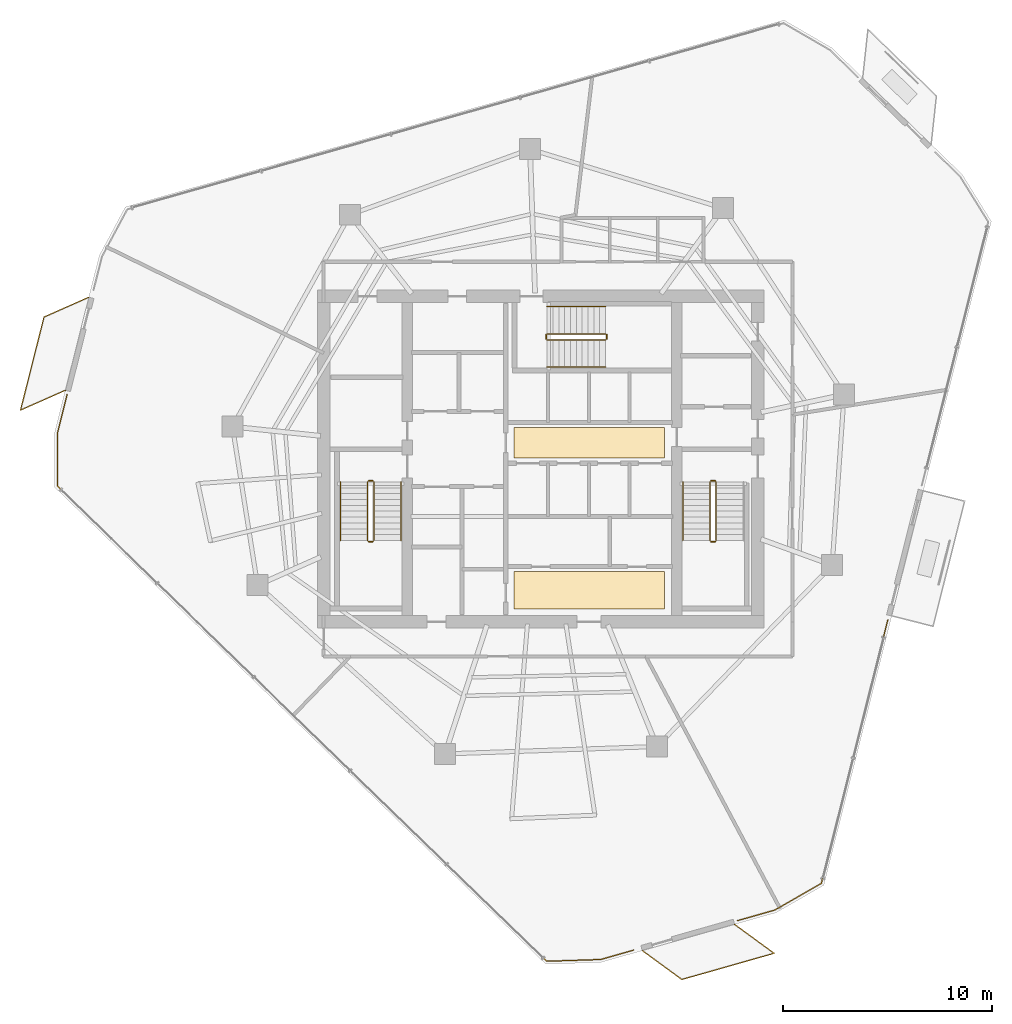
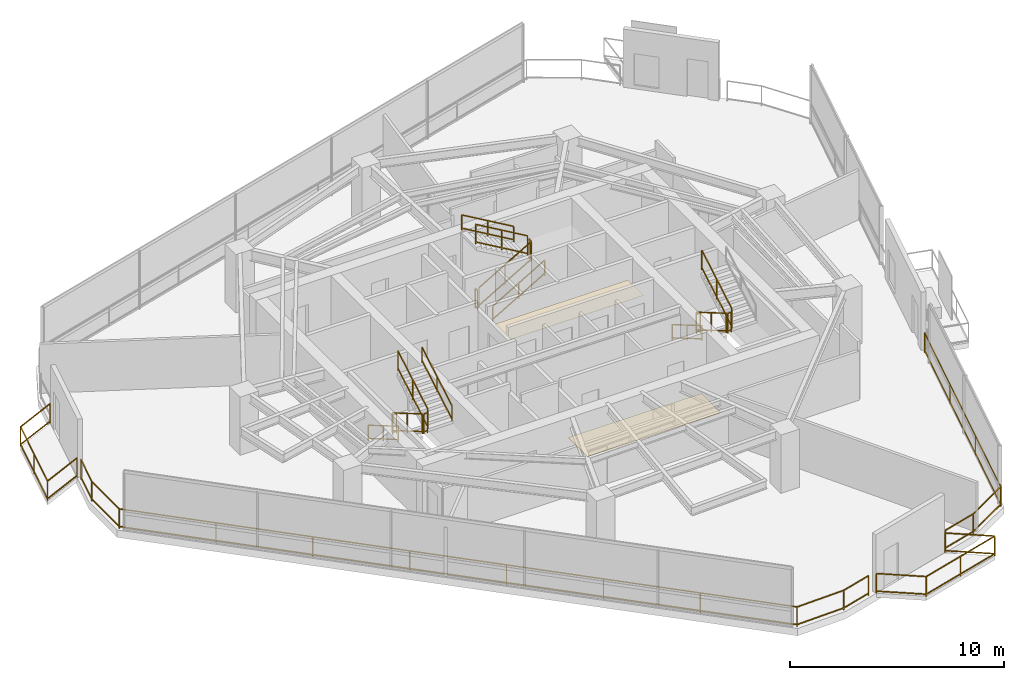
# One storey, part 18 of 19: 21 railings, 2 coverings.
"""IFC4 building model written with IfcOpenShell, lengths in metres."""

from ifc_helpers import new_model, si_unit, direction, frame, origin, origin_2d, place, context, subcontext, project, spatial, rectangle, extrude, material, layer, layer_set, type_object, element, save


model = new_model("IFC4")

# Units and contexts
model_context = context("Model", 3, precision=1e-05, world=origin(), true_north=direction((0.0, 1.0)))
body_context = subcontext(model_context, "Body", "Model", "MODEL_VIEW")
ifc_project = project(units=[si_unit("LENGTHUNIT", "METRE"), si_unit("AREAUNIT", "SQUARE_METRE"), si_unit("VOLUMEUNIT", "CUBIC_METRE"), si_unit("PLANEANGLEUNIT", "RADIAN"), si_unit("MASSUNIT", "GRAM", prefix="KILO")], contexts=[model_context])

# Site, building, storey
site_placement = place(None, origin())
site = spatial("IfcSite", under=ifc_project, at=site_placement, CompositionType="ELEMENT")
building_placement = place(site_placement, origin())
building = spatial("IfcBuilding", under=site, at=building_placement, Name="Qarnah Convention Tower", CompositionType="ELEMENT")
storey_placement = place(building_placement, frame((0.0, 0.0, 125.699951171875)))
storey = spatial("IfcBuildingStorey", under=building, at=storey_placement, Name="L33", CompositionType="ELEMENT", Elevation=125.699951171875)

# Coverings
ifc_material_1 = material(Name="Mineral fibre acoustic ceiling")
ifc_layer_1 = layer(ifc_material_1, 0.02001953125)
ifc_layer_set_1 = layer_set([ifc_layer_1], Name="Mineral fibre acoustic ceiling")
covering_type_1 = type_object("IfcCoveringType", Name="COV-CEIL-20", PredefinedType="CEILING", material=ifc_layer_set_1)
covering_1_placement = place(storey_placement, frame((39.52001953125, 27.179931640625, 2.2900390625), z_axis=(0.0, 0.0, 1.0), x_axis=(1.0, 0.0, 0.0)))
element("IfcCovering", 1, at=covering_1_placement, inside=storey, type_object=covering_type_1, Name="L33 lift lobby acoustic ceiling", PredefinedType="CEILING", context=body_context, shape_type="SweptSolid", body=[
    extrude(rectangle(XDim=7.199951171875, YDim=1.449951171875, at=origin_2d()), origin(), (0.0, 0.0, 1.0), 0.02001953125),
])
ifc_material_2 = material(Name="Porcelain stone floor tile", Category="masonry")
ifc_layer_2 = layer(ifc_material_2, 0.02001953125)
ifc_layer_set_2 = layer_set([ifc_layer_2], Name="Porcelain stone floor tile")
covering_type_2 = type_object("IfcCoveringType", Name="COV-FLOOR-20", PredefinedType="FLOORING", material=ifc_layer_set_2)
covering_2_placement = place(storey_placement, frame((39.52001953125, 20.1201171875, 0.0), z_axis=(0.0, 0.0, 1.0), x_axis=(1.0, 0.0, 0.0)))
element("IfcCovering", 2, at=covering_2_placement, inside=storey, type_object=covering_type_2, Name="L33 lift lobby porcelain stone flooring", PredefinedType="FLOORING", context=body_context, shape_type="SweptSolid", body=[
    extrude(rectangle(XDim=7.199951171875, YDim=1.800048828125, at=origin_2d()), origin(), (0.0, 0.0, 1.0), 0.02001953125),
])

# Railings
ifc_material_3 = material(Name="Black anodised aluminium", Category="aluminium")
railing_type_1 = type_object("IfcRailingType", Name="RL-EXT-GUARD-1150", PredefinedType="GUARDRAIL", material=ifc_material_3)
railing_1_placement = place(storey_placement, frame((53.819091796875, 18.698974609375, 0.0)))
element("IfcRailing", 3, at=railing_1_placement, inside=storey, type_object=railing_type_1, Name="L33 slab-edge perimeter safety guard 03", PredefinedType="GUARDRAIL", context=body_context, shape_type="SweptSolid", body=[
    extrude(rectangle(XDim=0.048095703125, YDim=0.048095703125, at=origin_2d()), frame((0.0, 0.0, 1.1259765625), z_axis=(-0.244600311698, -0.969623992853, 0.0), x_axis=(0.969623992853, -0.244600311698, 0.0)), (0.0, 0.0, 1.0), 13.017578125),
    extrude(rectangle(XDim=0.048095703125, YDim=0.048095703125, at=origin_2d()), frame((0.0, 0.0, 0.1201171875), z_axis=(-0.244600311698, -0.969623992853, 0.0), x_axis=(0.969623992853, -0.244600311698, 0.0)), (0.0, 0.0, 1.0), 13.017578125),
    extrude(rectangle(XDim=0.048095703125, YDim=0.048095703125, at=origin_2d()), frame((-3.18408203125, -12.6220703125, 1.1259765625), z_axis=(-0.867458232809, -0.497510014302, 0.0), x_axis=(0.497510014302, -0.867458232809, 0.0)), (0.0, 0.0, 1.0), 2.568359375),
    extrude(rectangle(XDim=0.048095703125, YDim=0.048095703125, at=origin_2d()), frame((-3.18408203125, -12.6220703125, 0.1201171875), z_axis=(-0.867458232809, -0.497510014302, 0.0), x_axis=(0.497510014302, -0.867458232809, 0.0)), (0.0, 0.0, 1.0), 2.568359375),
    extrude(rectangle(XDim=0.048095703125, YDim=0.048095703125, at=origin_2d()), frame((-5.412109375, -13.89990234375, 1.1259765625), z_axis=(-0.962021350653, -0.272974212862, 0.0), x_axis=(0.272974212862, -0.962021350653, 0.0)), (0.0, 0.0, 1.0), 1.86474609375),
    extrude(rectangle(XDim=0.048095703125, YDim=0.048095703125, at=origin_2d()), frame((-5.412109375, -13.89990234375, 0.1201171875), z_axis=(-0.962021350653, -0.272974212862, 0.0), x_axis=(0.272974212862, -0.962021350653, 0.0)), (0.0, 0.0, 1.0), 1.86474609375),
    extrude(rectangle(XDim=0.0419921875, YDim=0.0419921875, at=origin_2d()), origin(), (0.0, 0.0, 1.0), 1.101806640625),
    extrude(rectangle(XDim=0.0419921875, YDim=0.0419921875, at=origin_2d()), frame((-1.061279296875, -4.207275390625, 0.0)), (0.0, 0.0, 1.0), 1.101806640625),
    extrude(rectangle(XDim=0.0419921875, YDim=0.0419921875, at=origin_2d()), frame((-2.122802734375, -8.414794921875, 0.0)), (0.0, 0.0, 1.0), 1.101806640625),
    extrude(rectangle(XDim=0.0419921875, YDim=0.0419921875, at=origin_2d()), frame((-3.18408203125, -12.6220703125, 0.0)), (0.0, 0.0, 1.0), 1.101806640625),
    extrude(rectangle(XDim=0.0419921875, YDim=0.0419921875, at=origin_2d()), frame((-5.412109375, -13.89990234375, 0.0)), (0.0, 0.0, 1.0), 1.101806640625),
    extrude(rectangle(XDim=0.0419921875, YDim=0.0419921875, at=origin_2d()), frame((-7.2060546875, -14.408935546875, 0.0)), (0.0, 0.0, 1.0), 1.101806640625),
])
railing_2_placement = place(storey_placement, frame((41.65087890625, 2.882080078125, 0.0)))
element("IfcRailing", 4, at=railing_2_placement, inside=storey, type_object=railing_type_1, Name="L33 slab-edge perimeter safety guard 04", PredefinedType="GUARDRAIL", context=body_context, shape_type="SweptSolid", body=[
    extrude(rectangle(XDim=0.048095703125, YDim=0.048095703125, at=origin_2d()), frame((0.0, 0.0, 1.1259765625), z_axis=(-0.961945934206, -0.273239857385, 0.0), x_axis=(0.273239857385, -0.961945934206, 0.0)), (0.0, 0.0, 1.0), 1.65478515625),
    extrude(rectangle(XDim=0.048095703125, YDim=0.048095703125, at=origin_2d()), frame((0.0, 0.0, 0.1201171875), z_axis=(-0.961945934206, -0.273239857385, 0.0), x_axis=(0.273239857385, -0.961945934206, 0.0)), (0.0, 0.0, 1.0), 1.65478515625),
    extrude(rectangle(XDim=0.048095703125, YDim=0.048095703125, at=origin_2d()), frame((-1.591796875, -0.4521484375, 1.1259765625), z_axis=(-0.999489462318, -0.031950191165, 0.0), x_axis=(0.031950191165, -0.999489462318, 0.0)), (0.0, 0.0, 1.0), 2.5673828125),
    extrude(rectangle(XDim=0.048095703125, YDim=0.048095703125, at=origin_2d()), frame((-1.591796875, -0.4521484375, 0.1201171875), z_axis=(-0.999489462318, -0.031950191165, 0.0), x_axis=(0.031950191165, -0.999489462318, 0.0)), (0.0, 0.0, 1.0), 2.5673828125),
    extrude(rectangle(XDim=0.048095703125, YDim=0.048095703125, at=origin_2d()), frame((-4.157958984375, -0.5341796875, 1.1259765625), z_axis=(-0.717401211348, 0.696660248584, 0.0), x_axis=(-0.696660248584, -0.717401211348, 0.0)), (0.0, 0.0, 1.0), 32.676025390625),
    extrude(rectangle(XDim=0.048095703125, YDim=0.048095703125, at=origin_2d()), frame((-4.157958984375, -0.5341796875, 0.1201171875), z_axis=(-0.717401211348, 0.696660248584, 0.0), x_axis=(-0.696660248584, -0.717401211348, 0.0)), (0.0, 0.0, 1.0), 32.676025390625),
    extrude(rectangle(XDim=0.048095703125, YDim=0.048095703125, at=origin_2d()), frame((-27.599853515625, 22.22998046875, 1.1259765625), z_axis=(0.002757167691, 0.999996199006, 0.0), x_axis=(-0.999996199006, 0.002757167691, 0.0)), (0.0, 0.0, 1.0), 2.56787109375),
    extrude(rectangle(XDim=0.048095703125, YDim=0.048095703125, at=origin_2d()), frame((-27.599853515625, 22.22998046875, 0.1201171875), z_axis=(0.002757167691, 0.999996199006, 0.0), x_axis=(-0.999996199006, 0.002757167691, 0.0)), (0.0, 0.0, 1.0), 2.56787109375),
    extrude(rectangle(XDim=0.048095703125, YDim=0.048095703125, at=origin_2d()), frame((-27.5927734375, 24.7978515625, 1.1259765625), z_axis=(0.244445183822, 0.969663112687, 0.0), x_axis=(-0.969663112687, 0.244445183822, 0.0)), (0.0, 0.0, 1.0), 1.86474609375),
    extrude(rectangle(XDim=0.048095703125, YDim=0.048095703125, at=origin_2d()), frame((-27.5927734375, 24.7978515625, 0.1201171875), z_axis=(0.244445183822, 0.969663112687, 0.0), x_axis=(-0.969663112687, 0.244445183822, 0.0)), (0.0, 0.0, 1.0), 1.86474609375),
    extrude(rectangle(XDim=0.0419921875, YDim=0.0419921875, at=origin_2d()), origin(), (0.0, 0.0, 1.0), 1.101806640625),
    extrude(rectangle(XDim=0.0419921875, YDim=0.0419921875, at=origin_2d()), frame((-1.591796875, -0.4521484375, 0.0)), (0.0, 0.0, 1.0), 1.101806640625),
    extrude(rectangle(XDim=0.0419921875, YDim=0.0419921875, at=origin_2d()), frame((-4.157958984375, -0.5341796875, 0.0)), (0.0, 0.0, 1.0), 1.101806640625),
    extrude(rectangle(XDim=0.0419921875, YDim=0.0419921875, at=origin_2d()), frame((-7.5068359375, 2.7177734375, 0.0)), (0.0, 0.0, 1.0), 1.101806640625),
    extrude(rectangle(XDim=0.0419921875, YDim=0.0419921875, at=origin_2d()), frame((-10.855712890625, 5.969970703125, 0.0)), (0.0, 0.0, 1.0), 1.101806640625),
    extrude(rectangle(XDim=0.0419921875, YDim=0.0419921875, at=origin_2d()), frame((-14.20458984375, 9.221923828125, 0.0)), (0.0, 0.0, 1.0), 1.101806640625),
    extrude(rectangle(XDim=0.0419921875, YDim=0.0419921875, at=origin_2d()), frame((-17.55322265625, 12.473876953125, 0.0)), (0.0, 0.0, 1.0), 1.101806640625),
    extrude(rectangle(XDim=0.0419921875, YDim=0.0419921875, at=origin_2d()), frame((-20.902099609375, 15.725830078125, 0.0)), (0.0, 0.0, 1.0), 1.101806640625),
    extrude(rectangle(XDim=0.0419921875, YDim=0.0419921875, at=origin_2d()), frame((-24.2509765625, 18.97802734375, 0.0)), (0.0, 0.0, 1.0), 1.101806640625),
    extrude(rectangle(XDim=0.0419921875, YDim=0.0419921875, at=origin_2d()), frame((-27.599853515625, 22.22998046875, 0.0)), (0.0, 0.0, 1.0), 1.101806640625),
    extrude(rectangle(XDim=0.0419921875, YDim=0.0419921875, at=origin_2d()), frame((-27.5927734375, 24.7978515625, 0.0)), (0.0, 0.0, 1.0), 1.101806640625),
    extrude(rectangle(XDim=0.0419921875, YDim=0.0419921875, at=origin_2d()), frame((-27.136962890625, 26.60595703125, 0.0)), (0.0, 0.0, 1.0), 1.101806640625),
])
railing_3_placement = place(storey_placement, frame((14.426025390625, 29.68994140625, 0.0)))
element("IfcRailing", 5, at=railing_3_placement, inside=storey, type_object=railing_type_1, Name="L33 balcony safety guard BAL-L33-C2", PredefinedType="GUARDRAIL", context=body_context, shape_type="SweptSolid", body=[
    extrude(rectangle(XDim=0.048095703125, YDim=0.048095703125, at=origin_2d()), frame((0.0, 0.0, 1.1259765625), z_axis=(-0.91463741755, -0.40427514692, 0.0), x_axis=(0.40427514692, -0.91463741755, 0.0)), (0.0, 0.0, 1.0), 2.347412109375),
    extrude(rectangle(XDim=0.048095703125, YDim=0.048095703125, at=origin_2d()), frame((0.0, 0.0, 0.1201171875), z_axis=(-0.91463741755, -0.40427514692, 0.0), x_axis=(0.40427514692, -0.91463741755, 0.0)), (0.0, 0.0, 1.0), 2.347412109375),
    extrude(rectangle(XDim=0.048095703125, YDim=0.048095703125, at=origin_2d()), frame((-2.14697265625, -0.948974609375, 1.1259765625), z_axis=(0.244583269574, 0.969628291792, 0.0), x_axis=(-0.969628291792, 0.244583269574, 0.0)), (0.0, 0.0, 1.0), 4.599609375),
    extrude(rectangle(XDim=0.048095703125, YDim=0.048095703125, at=origin_2d()), frame((-2.14697265625, -0.948974609375, 0.1201171875), z_axis=(0.244583269574, 0.969628291792, 0.0), x_axis=(-0.969628291792, 0.244583269574, 0.0)), (0.0, 0.0, 1.0), 4.599609375),
    extrude(rectangle(XDim=0.048095703125, YDim=0.048095703125, at=origin_2d()), frame((-1.02197265625, 3.510986328125, 1.1259765625), z_axis=(0.91463741755, 0.40427514692, 0.0), x_axis=(-0.40427514692, 0.91463741755, 0.0)), (0.0, 0.0, 1.0), 2.347412109375),
    extrude(rectangle(XDim=0.048095703125, YDim=0.048095703125, at=origin_2d()), frame((-1.02197265625, 3.510986328125, 0.1201171875), z_axis=(0.91463741755, 0.40427514692, 0.0), x_axis=(-0.40427514692, 0.91463741755, 0.0)), (0.0, 0.0, 1.0), 2.347412109375),
    extrude(rectangle(XDim=0.0419921875, YDim=0.0419921875, at=origin_2d()), origin(), (0.0, 0.0, 1.0), 1.101806640625),
    extrude(rectangle(XDim=0.0419921875, YDim=0.0419921875, at=origin_2d()), frame((-2.14697265625, -0.948974609375, 0.0)), (0.0, 0.0, 1.0), 1.101806640625),
    extrude(rectangle(XDim=0.0419921875, YDim=0.0419921875, at=origin_2d()), frame((-1.58447265625, 1.281005859375, 0.0)), (0.0, 0.0, 1.0), 1.101806640625),
    extrude(rectangle(XDim=0.0419921875, YDim=0.0419921875, at=origin_2d()), frame((-1.02197265625, 3.510986328125, 0.0)), (0.0, 0.0, 1.0), 1.101806640625),
    extrude(rectangle(XDim=0.0419921875, YDim=0.0419921875, at=origin_2d()), frame((1.125, 4.4599609375, 0.0)), (0.0, 0.0, 1.0), 1.101806640625),
])
railing_4_placement = place(storey_placement, frame((46.48291015625, 4.112060546875, 0.0)))
element("IfcRailing", 6, at=railing_4_placement, inside=storey, type_object=railing_type_1, Name="L33 balcony safety guard BAL-L33-C3", PredefinedType="GUARDRAIL", context=body_context, shape_type="SweptSolid", body=[
    extrude(rectangle(XDim=0.048095703125, YDim=0.048095703125, at=origin_2d()), frame((0.0, 0.0, 1.1259765625), z_axis=(0.807353005683, -0.590068745329, 0.0), x_axis=(0.590068745329, 0.807353005683, 0.0)), (0.0, 0.0, 1.0), 2.34716796875),
    extrude(rectangle(XDim=0.048095703125, YDim=0.048095703125, at=origin_2d()), frame((0.0, 0.0, 0.1201171875), z_axis=(0.807353005683, -0.590068745329, 0.0), x_axis=(0.590068745329, 0.807353005683, 0.0)), (0.0, 0.0, 1.0), 2.34716796875),
    extrude(rectangle(XDim=0.048095703125, YDim=0.048095703125, at=origin_2d()), frame((1.89501953125, -1.385009765625, 1.1259765625), z_axis=(-0.962048959661, -0.272876893882, 0.0), x_axis=(0.272876893882, -0.962048959661, 0.0)), (0.0, 0.0, 1.0), 4.599609375),
    extrude(rectangle(XDim=0.048095703125, YDim=0.048095703125, at=origin_2d()), frame((1.89501953125, -1.385009765625, 0.1201171875), z_axis=(-0.962048959661, -0.272876893882, 0.0), x_axis=(0.272876893882, -0.962048959661, 0.0)), (0.0, 0.0, 1.0), 4.599609375),
    extrude(rectangle(XDim=0.048095703125, YDim=0.048095703125, at=origin_2d()), frame((-2.530029296875, -2.64013671875, 1.1259765625), z_axis=(-0.807316785574, 0.590118299776, 0.0), x_axis=(-0.590118299776, -0.807316785574, 0.0)), (0.0, 0.0, 1.0), 2.346923828125),
    extrude(rectangle(XDim=0.048095703125, YDim=0.048095703125, at=origin_2d()), frame((-2.530029296875, -2.64013671875, 0.1201171875), z_axis=(-0.807316785574, 0.590118299776, 0.0), x_axis=(-0.590118299776, -0.807316785574, 0.0)), (0.0, 0.0, 1.0), 2.346923828125),
    extrude(rectangle(XDim=0.0419921875, YDim=0.0419921875, at=origin_2d()), origin(), (0.0, 0.0, 1.0), 1.101806640625),
    extrude(rectangle(XDim=0.0419921875, YDim=0.0419921875, at=origin_2d()), frame((1.89501953125, -1.385009765625, 0.0)), (0.0, 0.0, 1.0), 1.101806640625),
    extrude(rectangle(XDim=0.0419921875, YDim=0.0419921875, at=origin_2d()), frame((-0.3173828125, -2.0126953125, 0.0)), (0.0, 0.0, 1.0), 1.101806640625),
    extrude(rectangle(XDim=0.0419921875, YDim=0.0419921875, at=origin_2d()), frame((-2.530029296875, -2.64013671875, 0.0)), (0.0, 0.0, 1.0), 1.101806640625),
    extrude(rectangle(XDim=0.0419921875, YDim=0.0419921875, at=origin_2d()), frame((-4.4248046875, -1.255126953125, 0.0)), (0.0, 0.0, 1.0), 1.101806640625),
])
ifc_material_4 = material(Name="Structural steel S355JR", Category="steel")
railing_type_2 = type_object("IfcRailingType", Name="RL-STAIR-GUARD-1150", PredefinedType="GUARDRAIL", material=ifc_material_4)
railing_5_placement = place(storey_placement, frame((28.89990234375, 25.300048828125, 0.16357421875)))
element("IfcRailing", 7, at=railing_5_placement, inside=storey, type_object=railing_type_2, Name="L33 ST-1 stair guard 1", PredefinedType="GUARDRAIL", context=body_context, shape_type="SweptSolid", body=[
    extrude(rectangle(XDim=0.048095703125, YDim=0.048095703125, at=origin_2d()), frame((0.0, 0.0, 1.1259765625), z_axis=(0.0, -0.863360870873, 0.504586966384), x_axis=(1.0, 0.0, 0.0)), (0.0, 0.0, 1.0), 3.2431640625),
    extrude(rectangle(XDim=0.048095703125, YDim=0.048095703125, at=origin_2d()), frame((0.0, 0.0, 0.1201171875), z_axis=(0.0, -0.863360870873, 0.504586966384), x_axis=(1.0, 0.0, 0.0)), (0.0, 0.0, 1.0), 3.2431640625),
    extrude(rectangle(XDim=0.0419921875, YDim=0.0419921875, at=origin_2d()), origin(), (0.0, 0.0, 1.0), 1.101806640625),
    extrude(rectangle(XDim=0.0419921875, YDim=0.0419921875, at=origin_2d()), frame((0.0, -1.39990234375, 0.818359375)), (0.0, 0.0, 1.0), 1.101806640625),
    extrude(rectangle(XDim=0.0419921875, YDim=0.0419921875, at=origin_2d()), frame((0.0, -2.800048828125, 1.636474609375)), (0.0, 0.0, 1.0), 1.101806640625),
])
railing_6_placement = place(storey_placement, frame((28.949951171875, 22.449951171875, 1.800048828125)))
element("IfcRailing", 8, at=railing_6_placement, inside=storey, type_object=railing_type_2, Name="L33 ST-1 stair guard 2", PredefinedType="GUARDRAIL", context=body_context, shape_type="SweptSolid", body=[
    extrude(rectangle(XDim=0.048095703125, YDim=0.048095703125, at=origin_2d()), frame((0.0, 0.0, 1.1259765625), z_axis=(1.0, 0.0, 0.0), x_axis=(0.0, 1.0, 0.0)), (0.0, 0.0, 1.0), 0.199951171875),
    extrude(rectangle(XDim=0.048095703125, YDim=0.048095703125, at=origin_2d()), frame((0.0, 0.0, 0.1201171875), z_axis=(1.0, 0.0, 0.0), x_axis=(0.0, 1.0, 0.0)), (0.0, 0.0, 1.0), 0.199951171875),
    extrude(rectangle(XDim=0.0419921875, YDim=0.0419921875, at=origin_2d()), origin(), (0.0, 0.0, 1.0), 1.101806640625),
    extrude(rectangle(XDim=0.0419921875, YDim=0.0419921875, at=origin_2d()), frame((0.199951171875, 0.0, 0.0)), (0.0, 0.0, 1.0), 1.101806640625),
])
railing_7_placement = place(storey_placement, frame((29.199951171875, 22.5, 1.963623046875)))
element("IfcRailing", 9, at=railing_7_placement, inside=storey, type_object=railing_type_2, Name="L33 ST-1 stair guard 3", PredefinedType="GUARDRAIL", context=body_context, shape_type="SweptSolid", body=[
    extrude(rectangle(XDim=0.048095703125, YDim=0.048095703125, at=origin_2d()), frame((0.0, 0.0, 1.1259765625), z_axis=(0.0, 0.863360870873, 0.504586966384), x_axis=(-1.0, 0.0, 0.0)), (0.0, 0.0, 1.0), 3.2431640625),
    extrude(rectangle(XDim=0.048095703125, YDim=0.048095703125, at=origin_2d()), frame((0.0, 0.0, 0.1201171875), z_axis=(0.0, 0.863360870873, 0.504586966384), x_axis=(-1.0, 0.0, 0.0)), (0.0, 0.0, 1.0), 3.2431640625),
    extrude(rectangle(XDim=0.0419921875, YDim=0.0419921875, at=origin_2d()), origin(), (0.0, 0.0, 1.0), 1.101806640625),
    extrude(rectangle(XDim=0.0419921875, YDim=0.0419921875, at=origin_2d()), frame((0.0, 1.39990234375, 0.818359375)), (0.0, 0.0, 1.0), 1.101806640625),
    extrude(rectangle(XDim=0.0419921875, YDim=0.0419921875, at=origin_2d()), frame((0.0, 2.800048828125, 1.636474609375)), (0.0, 0.0, 1.0), 1.101806640625),
])
railing_8_placement = place(storey_placement, frame((28.949951171875, 25.35009765625, 0.0)))
element("IfcRailing", 10, at=railing_8_placement, inside=storey, type_object=railing_type_2, Name="L33 ST-1 stair guard 4", PredefinedType="GUARDRAIL", context=body_context, shape_type="SweptSolid", body=[
    extrude(rectangle(XDim=0.048095703125, YDim=0.048095703125, at=origin_2d()), frame((0.0, 0.0, 1.1259765625), z_axis=(1.0, 0.0, 0.0), x_axis=(0.0, 1.0, 0.0)), (0.0, 0.0, 1.0), 0.199951171875),
    extrude(rectangle(XDim=0.048095703125, YDim=0.048095703125, at=origin_2d()), frame((0.0, 0.0, 0.1201171875), z_axis=(1.0, 0.0, 0.0), x_axis=(0.0, 1.0, 0.0)), (0.0, 0.0, 1.0), 0.199951171875),
    extrude(rectangle(XDim=0.0419921875, YDim=0.0419921875, at=origin_2d()), origin(), (0.0, 0.0, 1.0), 1.101806640625),
    extrude(rectangle(XDim=0.0419921875, YDim=0.0419921875, at=origin_2d()), frame((0.199951171875, 0.0, 0.0)), (0.0, 0.0, 1.0), 1.101806640625),
])
railing_9_placement = place(storey_placement, frame((45.300048828125, 25.300048828125, 0.16357421875)))
element("IfcRailing", 11, at=railing_9_placement, inside=storey, type_object=railing_type_2, Name="L33 ST-2 stair guard 1", PredefinedType="GUARDRAIL", context=body_context, shape_type="SweptSolid", body=[
    extrude(rectangle(XDim=0.048095703125, YDim=0.048095703125, at=origin_2d()), frame((0.0, 0.0, 1.1259765625), z_axis=(0.0, -0.863360870873, 0.504586966384), x_axis=(1.0, 0.0, 0.0)), (0.0, 0.0, 1.0), 3.2431640625),
    extrude(rectangle(XDim=0.048095703125, YDim=0.048095703125, at=origin_2d()), frame((0.0, 0.0, 0.1201171875), z_axis=(0.0, -0.863360870873, 0.504586966384), x_axis=(1.0, 0.0, 0.0)), (0.0, 0.0, 1.0), 3.2431640625),
    extrude(rectangle(XDim=0.0419921875, YDim=0.0419921875, at=origin_2d()), origin(), (0.0, 0.0, 1.0), 1.101806640625),
    extrude(rectangle(XDim=0.0419921875, YDim=0.0419921875, at=origin_2d()), frame((0.0, -1.39990234375, 0.818359375)), (0.0, 0.0, 1.0), 1.101806640625),
    extrude(rectangle(XDim=0.0419921875, YDim=0.0419921875, at=origin_2d()), frame((0.0, -2.800048828125, 1.636474609375)), (0.0, 0.0, 1.0), 1.101806640625),
])
railing_10_placement = place(storey_placement, frame((45.35009765625, 22.449951171875, 1.800048828125)))
element("IfcRailing", 12, at=railing_10_placement, inside=storey, type_object=railing_type_2, Name="L33 ST-2 stair guard 2", PredefinedType="GUARDRAIL", context=body_context, shape_type="SweptSolid", body=[
    extrude(rectangle(XDim=0.048095703125, YDim=0.048095703125, at=origin_2d()), frame((0.0, 0.0, 1.1259765625), z_axis=(1.0, 0.0, 0.0), x_axis=(0.0, 1.0, 0.0)), (0.0, 0.0, 1.0), 0.199951171875),
    extrude(rectangle(XDim=0.048095703125, YDim=0.048095703125, at=origin_2d()), frame((0.0, 0.0, 0.1201171875), z_axis=(1.0, 0.0, 0.0), x_axis=(0.0, 1.0, 0.0)), (0.0, 0.0, 1.0), 0.199951171875),
    extrude(rectangle(XDim=0.0419921875, YDim=0.0419921875, at=origin_2d()), origin(), (0.0, 0.0, 1.0), 1.101806640625),
    extrude(rectangle(XDim=0.0419921875, YDim=0.0419921875, at=origin_2d()), frame((0.199951171875, 0.0, 0.0)), (0.0, 0.0, 1.0), 1.101806640625),
])
railing_11_placement = place(storey_placement, frame((45.60009765625, 22.5, 1.963623046875)))
element("IfcRailing", 13, at=railing_11_placement, inside=storey, type_object=railing_type_2, Name="L33 ST-2 stair guard 3", PredefinedType="GUARDRAIL", context=body_context, shape_type="SweptSolid", body=[
    extrude(rectangle(XDim=0.048095703125, YDim=0.048095703125, at=origin_2d()), frame((0.0, 0.0, 1.1259765625), z_axis=(0.0, 0.863360870873, 0.504586966384), x_axis=(-1.0, 0.0, 0.0)), (0.0, 0.0, 1.0), 3.2431640625),
    extrude(rectangle(XDim=0.048095703125, YDim=0.048095703125, at=origin_2d()), frame((0.0, 0.0, 0.1201171875), z_axis=(0.0, 0.863360870873, 0.504586966384), x_axis=(-1.0, 0.0, 0.0)), (0.0, 0.0, 1.0), 3.2431640625),
    extrude(rectangle(XDim=0.0419921875, YDim=0.0419921875, at=origin_2d()), origin(), (0.0, 0.0, 1.0), 1.101806640625),
    extrude(rectangle(XDim=0.0419921875, YDim=0.0419921875, at=origin_2d()), frame((0.0, 1.39990234375, 0.818359375)), (0.0, 0.0, 1.0), 1.101806640625),
    extrude(rectangle(XDim=0.0419921875, YDim=0.0419921875, at=origin_2d()), frame((0.0, 2.800048828125, 1.636474609375)), (0.0, 0.0, 1.0), 1.101806640625),
])
railing_12_placement = place(storey_placement, frame((45.35009765625, 25.35009765625, 0.0)))
element("IfcRailing", 14, at=railing_12_placement, inside=storey, type_object=railing_type_2, Name="L33 ST-2 stair guard 4", PredefinedType="GUARDRAIL", context=body_context, shape_type="SweptSolid", body=[
    extrude(rectangle(XDim=0.048095703125, YDim=0.048095703125, at=origin_2d()), frame((0.0, 0.0, 1.1259765625), z_axis=(1.0, 0.0, 0.0), x_axis=(0.0, 1.0, 0.0)), (0.0, 0.0, 1.0), 0.199951171875),
    extrude(rectangle(XDim=0.048095703125, YDim=0.048095703125, at=origin_2d()), frame((0.0, 0.0, 0.1201171875), z_axis=(1.0, 0.0, 0.0), x_axis=(0.0, 1.0, 0.0)), (0.0, 0.0, 1.0), 0.199951171875),
    extrude(rectangle(XDim=0.0419921875, YDim=0.0419921875, at=origin_2d()), origin(), (0.0, 0.0, 1.0), 1.101806640625),
    extrude(rectangle(XDim=0.0419921875, YDim=0.0419921875, at=origin_2d()), frame((0.199951171875, 0.0, 0.0)), (0.0, 0.0, 1.0), 1.101806640625),
])
railing_13_placement = place(storey_placement, frame((37.5, 32.10009765625, 0.16357421875)))
element("IfcRailing", 15, at=railing_13_placement, inside=storey, type_object=railing_type_2, Name="L33 ST-3 stair guard 1", PredefinedType="GUARDRAIL", context=body_context, shape_type="SweptSolid", body=[
    extrude(rectangle(XDim=0.048095703125, YDim=0.048095703125, at=origin_2d()), frame((0.0, 0.0, 1.1259765625), z_axis=(0.863360870873, 0.0, 0.504586966384), x_axis=(0.0, 1.0, 0.0)), (0.0, 0.0, 1.0), 3.2431640625),
    extrude(rectangle(XDim=0.048095703125, YDim=0.048095703125, at=origin_2d()), frame((0.0, 0.0, 0.1201171875), z_axis=(0.863360870873, 0.0, 0.504586966384), x_axis=(0.0, 1.0, 0.0)), (0.0, 0.0, 1.0), 3.2431640625),
    extrude(rectangle(XDim=0.0419921875, YDim=0.0419921875, at=origin_2d()), origin(), (0.0, 0.0, 1.0), 1.101806640625),
    extrude(rectangle(XDim=0.0419921875, YDim=0.0419921875, at=origin_2d()), frame((1.39990234375, 0.0, 0.818359375)), (0.0, 0.0, 1.0), 1.101806640625),
    extrude(rectangle(XDim=0.0419921875, YDim=0.0419921875, at=origin_2d()), frame((2.800048828125, 0.0, 1.636474609375)), (0.0, 0.0, 1.0), 1.101806640625),
])
railing_14_placement = place(storey_placement, frame((40.35009765625, 32.14990234375, 1.800048828125)))
element("IfcRailing", 16, at=railing_14_placement, inside=storey, type_object=railing_type_2, Name="L33 ST-3 stair guard 2", PredefinedType="GUARDRAIL", context=body_context, shape_type="SweptSolid", body=[
    extrude(rectangle(XDim=0.048095703125, YDim=0.048095703125, at=origin_2d()), frame((0.0, 0.0, 1.1259765625), z_axis=(0.0, 1.0, 0.0), x_axis=(-1.0, 0.0, 0.0)), (0.0, 0.0, 1.0), 0.2001953125),
    extrude(rectangle(XDim=0.048095703125, YDim=0.048095703125, at=origin_2d()), frame((0.0, 0.0, 0.1201171875), z_axis=(0.0, 1.0, 0.0), x_axis=(-1.0, 0.0, 0.0)), (0.0, 0.0, 1.0), 0.2001953125),
    extrude(rectangle(XDim=0.0419921875, YDim=0.0419921875, at=origin_2d()), origin(), (0.0, 0.0, 1.0), 1.101806640625),
    extrude(rectangle(XDim=0.0419921875, YDim=0.0419921875, at=origin_2d()), frame((0.0, 0.2001953125, 0.0)), (0.0, 0.0, 1.0), 1.101806640625),
])
railing_15_placement = place(storey_placement, frame((40.300048828125, 32.39990234375, 1.963623046875)))
element("IfcRailing", 17, at=railing_15_placement, inside=storey, type_object=railing_type_2, Name="L33 ST-3 stair guard 3", PredefinedType="GUARDRAIL", context=body_context, shape_type="SweptSolid", body=[
    extrude(rectangle(XDim=0.048095703125, YDim=0.048095703125, at=origin_2d()), frame((0.0, 0.0, 1.1259765625), z_axis=(-0.863360870873, 0.0, 0.504586966384), x_axis=(0.0, -1.0, 0.0)), (0.0, 0.0, 1.0), 3.2431640625),
    extrude(rectangle(XDim=0.048095703125, YDim=0.048095703125, at=origin_2d()), frame((0.0, 0.0, 0.1201171875), z_axis=(-0.863360870873, 0.0, 0.504586966384), x_axis=(0.0, -1.0, 0.0)), (0.0, 0.0, 1.0), 3.2431640625),
    extrude(rectangle(XDim=0.0419921875, YDim=0.0419921875, at=origin_2d()), origin(), (0.0, 0.0, 1.0), 1.101806640625),
    extrude(rectangle(XDim=0.0419921875, YDim=0.0419921875, at=origin_2d()), frame((-1.39990234375, 0.0, 0.818359375)), (0.0, 0.0, 1.0), 1.101806640625),
    extrude(rectangle(XDim=0.0419921875, YDim=0.0419921875, at=origin_2d()), frame((-2.800048828125, 0.0, 1.636474609375)), (0.0, 0.0, 1.0), 1.101806640625),
])
railing_16_placement = place(storey_placement, frame((37.449951171875, 32.14990234375, 0.0)))
element("IfcRailing", 18, at=railing_16_placement, inside=storey, type_object=railing_type_2, Name="L33 ST-3 stair guard 4", PredefinedType="GUARDRAIL", context=body_context, shape_type="SweptSolid", body=[
    extrude(rectangle(XDim=0.048095703125, YDim=0.048095703125, at=origin_2d()), frame((0.0, 0.0, 1.1259765625), z_axis=(0.0, 1.0, 0.0), x_axis=(-1.0, 0.0, 0.0)), (0.0, 0.0, 1.0), 0.2001953125),
    extrude(rectangle(XDim=0.048095703125, YDim=0.048095703125, at=origin_2d()), frame((0.0, 0.0, 0.1201171875), z_axis=(0.0, 1.0, 0.0), x_axis=(-1.0, 0.0, 0.0)), (0.0, 0.0, 1.0), 0.2001953125),
    extrude(rectangle(XDim=0.0419921875, YDim=0.0419921875, at=origin_2d()), origin(), (0.0, 0.0, 1.0), 1.101806640625),
    extrude(rectangle(XDim=0.0419921875, YDim=0.0419921875, at=origin_2d()), frame((0.0, 0.2001953125, 0.0)), (0.0, 0.0, 1.0), 1.101806640625),
])
railing_type_3 = type_object("IfcRailingType", Name="RL-STAIR-HAND-900", PredefinedType="HANDRAIL", material=ifc_material_4)
railing_17_placement = place(storey_placement, frame((27.60009765625, 25.300048828125, 0.16357421875)))
element("IfcRailing", 19, at=railing_17_placement, inside=storey, type_object=railing_type_3, Name="L33 ST-1 stair handrail 1", PredefinedType="HANDRAIL", context=body_context, shape_type="SweptSolid", body=[
    extrude(rectangle(XDim=0.048095703125, YDim=0.048095703125, at=origin_2d()), frame((0.0, 0.0, 0.8759765625), z_axis=(0.0, -0.863360870873, 0.504586966384), x_axis=(1.0, 0.0, 0.0)), (0.0, 0.0, 1.0), 3.2431640625),
    extrude(rectangle(XDim=0.048095703125, YDim=0.048095703125, at=origin_2d()), frame((0.0, 0.0, 0.1201171875), z_axis=(0.0, -0.863360870873, 0.504586966384), x_axis=(1.0, 0.0, 0.0)), (0.0, 0.0, 1.0), 3.2431640625),
    extrude(rectangle(XDim=0.0419921875, YDim=0.0419921875, at=origin_2d()), origin(), (0.0, 0.0, 1.0), 0.851806640625),
    extrude(rectangle(XDim=0.0419921875, YDim=0.0419921875, at=origin_2d()), frame((0.0, -1.39990234375, 0.818359375)), (0.0, 0.0, 1.0), 0.851806640625),
    extrude(rectangle(XDim=0.0419921875, YDim=0.0419921875, at=origin_2d()), frame((0.0, -2.800048828125, 1.636474609375)), (0.0, 0.0, 1.0), 0.851806640625),
])
railing_18_placement = place(storey_placement, frame((30.5, 22.5, 1.963623046875)))
element("IfcRailing", 20, at=railing_18_placement, inside=storey, type_object=railing_type_3, Name="L33 ST-1 stair handrail 2", PredefinedType="HANDRAIL", context=body_context, shape_type="SweptSolid", body=[
    extrude(rectangle(XDim=0.048095703125, YDim=0.048095703125, at=origin_2d()), frame((0.0, 0.0, 0.8759765625), z_axis=(0.0, 0.863360870873, 0.504586966384), x_axis=(-1.0, 0.0, 0.0)), (0.0, 0.0, 1.0), 3.2431640625),
    extrude(rectangle(XDim=0.048095703125, YDim=0.048095703125, at=origin_2d()), frame((0.0, 0.0, 0.1201171875), z_axis=(0.0, 0.863360870873, 0.504586966384), x_axis=(-1.0, 0.0, 0.0)), (0.0, 0.0, 1.0), 3.2431640625),
    extrude(rectangle(XDim=0.0419921875, YDim=0.0419921875, at=origin_2d()), origin(), (0.0, 0.0, 1.0), 0.851806640625),
    extrude(rectangle(XDim=0.0419921875, YDim=0.0419921875, at=origin_2d()), frame((0.0, 1.39990234375, 0.818359375)), (0.0, 0.0, 1.0), 0.851806640625),
    extrude(rectangle(XDim=0.0419921875, YDim=0.0419921875, at=origin_2d()), frame((0.0, 2.800048828125, 1.636474609375)), (0.0, 0.0, 1.0), 0.851806640625),
])
railing_19_placement = place(storey_placement, frame((44.0, 25.300048828125, 0.16357421875)))
element("IfcRailing", 21, at=railing_19_placement, inside=storey, type_object=railing_type_3, Name="L33 ST-2 stair handrail 1", PredefinedType="HANDRAIL", context=body_context, shape_type="SweptSolid", body=[
    extrude(rectangle(XDim=0.048095703125, YDim=0.048095703125, at=origin_2d()), frame((0.0, 0.0, 0.8759765625), z_axis=(0.0, -0.863360870873, 0.504586966384), x_axis=(1.0, 0.0, 0.0)), (0.0, 0.0, 1.0), 3.2431640625),
    extrude(rectangle(XDim=0.048095703125, YDim=0.048095703125, at=origin_2d()), frame((0.0, 0.0, 0.1201171875), z_axis=(0.0, -0.863360870873, 0.504586966384), x_axis=(1.0, 0.0, 0.0)), (0.0, 0.0, 1.0), 3.2431640625),
    extrude(rectangle(XDim=0.0419921875, YDim=0.0419921875, at=origin_2d()), origin(), (0.0, 0.0, 1.0), 0.851806640625),
    extrude(rectangle(XDim=0.0419921875, YDim=0.0419921875, at=origin_2d()), frame((0.0, -1.39990234375, 0.818359375)), (0.0, 0.0, 1.0), 0.851806640625),
    extrude(rectangle(XDim=0.0419921875, YDim=0.0419921875, at=origin_2d()), frame((0.0, -2.800048828125, 1.636474609375)), (0.0, 0.0, 1.0), 0.851806640625),
])
railing_20_placement = place(storey_placement, frame((37.5, 30.800048828125, 0.16357421875)))
element("IfcRailing", 22, at=railing_20_placement, inside=storey, type_object=railing_type_3, Name="L33 ST-3 stair handrail 1", PredefinedType="HANDRAIL", context=body_context, shape_type="SweptSolid", body=[
    extrude(rectangle(XDim=0.048095703125, YDim=0.048095703125, at=origin_2d()), frame((0.0, 0.0, 0.8759765625), z_axis=(0.863360870873, 0.0, 0.504586966384), x_axis=(0.0, 1.0, 0.0)), (0.0, 0.0, 1.0), 3.2431640625),
    extrude(rectangle(XDim=0.048095703125, YDim=0.048095703125, at=origin_2d()), frame((0.0, 0.0, 0.1201171875), z_axis=(0.863360870873, 0.0, 0.504586966384), x_axis=(0.0, 1.0, 0.0)), (0.0, 0.0, 1.0), 3.2431640625),
    extrude(rectangle(XDim=0.0419921875, YDim=0.0419921875, at=origin_2d()), origin(), (0.0, 0.0, 1.0), 0.851806640625),
    extrude(rectangle(XDim=0.0419921875, YDim=0.0419921875, at=origin_2d()), frame((1.39990234375, 0.0, 0.818359375)), (0.0, 0.0, 1.0), 0.851806640625),
    extrude(rectangle(XDim=0.0419921875, YDim=0.0419921875, at=origin_2d()), frame((2.800048828125, 0.0, 1.636474609375)), (0.0, 0.0, 1.0), 0.851806640625),
])
railing_21_placement = place(storey_placement, frame((40.300048828125, 33.699951171875, 1.963623046875)))
element("IfcRailing", 23, at=railing_21_placement, inside=storey, type_object=railing_type_3, Name="L33 ST-3 stair handrail 2", PredefinedType="HANDRAIL", context=body_context, shape_type="SweptSolid", body=[
    extrude(rectangle(XDim=0.048095703125, YDim=0.048095703125, at=origin_2d()), frame((0.0, 0.0, 0.8759765625), z_axis=(-0.863360870873, 0.0, 0.504586966384), x_axis=(0.0, -1.0, 0.0)), (0.0, 0.0, 1.0), 3.2431640625),
    extrude(rectangle(XDim=0.048095703125, YDim=0.048095703125, at=origin_2d()), frame((0.0, 0.0, 0.1201171875), z_axis=(-0.863360870873, 0.0, 0.504586966384), x_axis=(0.0, -1.0, 0.0)), (0.0, 0.0, 1.0), 3.2431640625),
    extrude(rectangle(XDim=0.0419921875, YDim=0.0419921875, at=origin_2d()), origin(), (0.0, 0.0, 1.0), 0.851806640625),
    extrude(rectangle(XDim=0.0419921875, YDim=0.0419921875, at=origin_2d()), frame((-1.39990234375, 0.0, 0.818359375)), (0.0, 0.0, 1.0), 0.851806640625),
    extrude(rectangle(XDim=0.0419921875, YDim=0.0419921875, at=origin_2d()), frame((-2.800048828125, 0.0, 1.636474609375)), (0.0, 0.0, 1.0), 0.851806640625),
])

save(model, "model.ifc")
